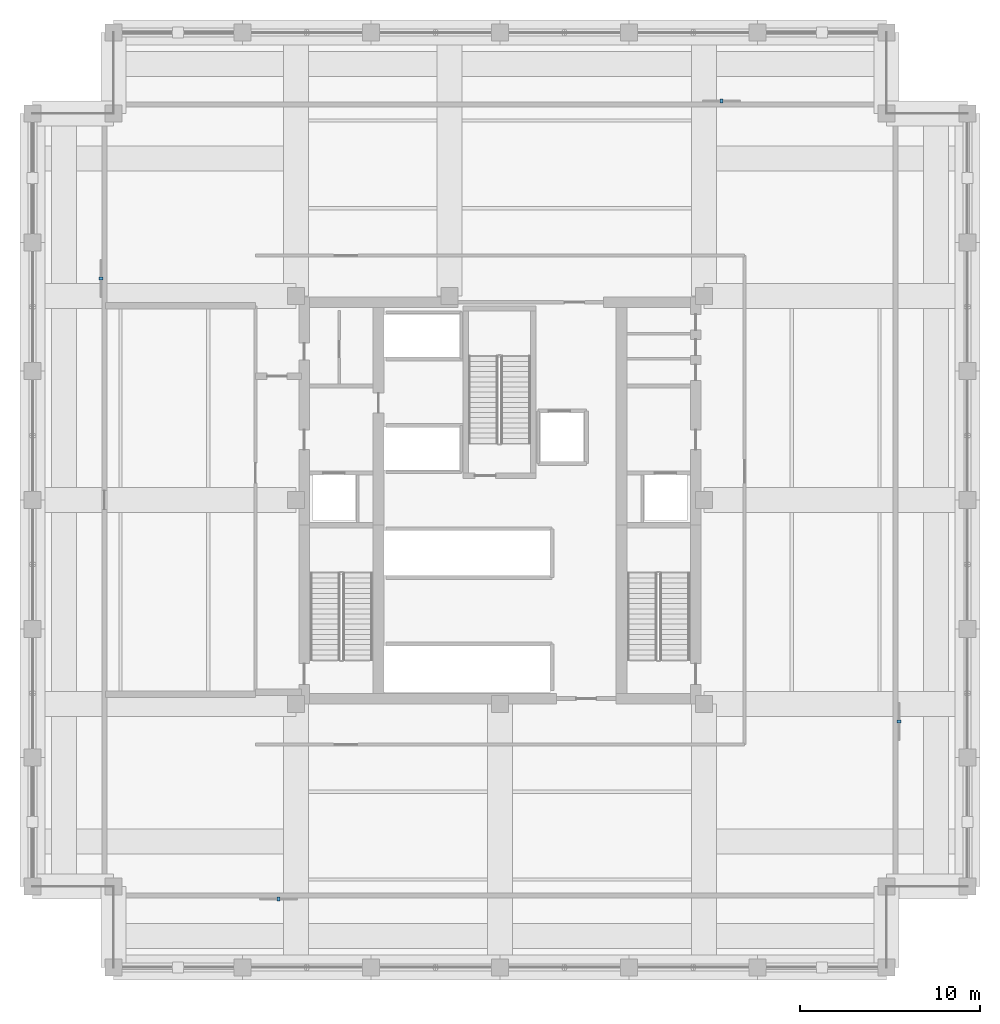
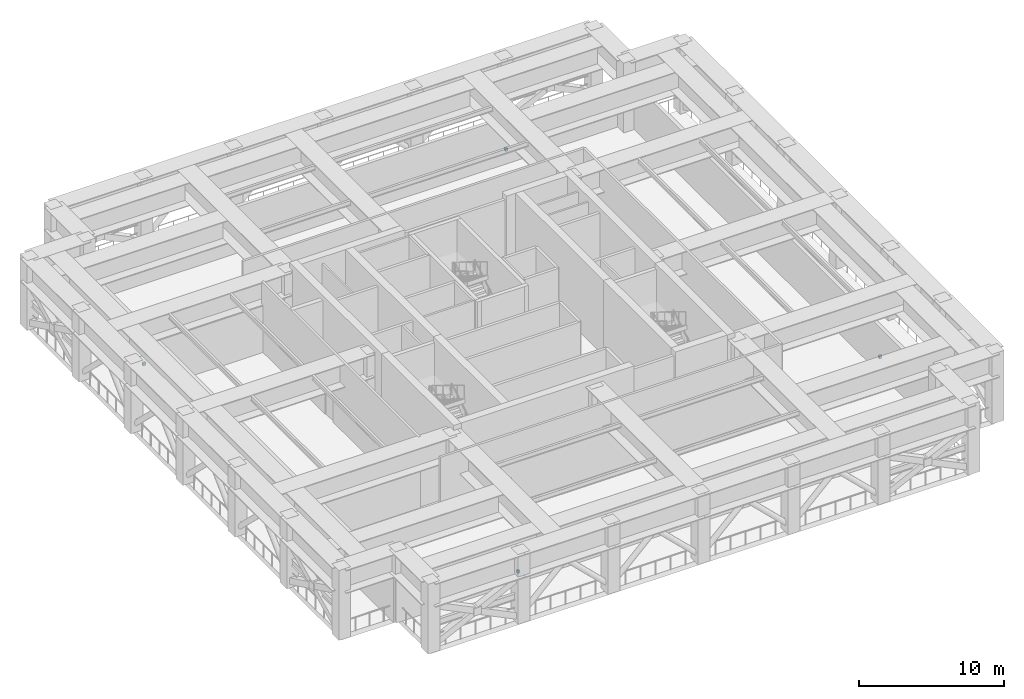
# One storey, part 6 of 12: 4 discrete accessories.
"""IFC4 building model written with IfcOpenShell, lengths in metres."""

from ifc_helpers import new_model, si_unit, direction, frame, origin, origin_2d, place, context, subcontext, project, spatial, rectangle, extrude, material, type_object, element, save


model = new_model("IFC4")

# Units and contexts
model_context = context("Model", 3, precision=1e-05, world=origin(), true_north=direction((0.0, 1.0)))
body_context = subcontext(model_context, "Body", "Model", "MODEL_VIEW")
ifc_project = project(units=[si_unit("LENGTHUNIT", "METRE"), si_unit("AREAUNIT", "SQUARE_METRE"), si_unit("VOLUMEUNIT", "CUBIC_METRE"), si_unit("PLANEANGLEUNIT", "RADIAN"), si_unit("MASSUNIT", "GRAM", prefix="KILO")], contexts=[model_context])

# Site, building, storey
site_placement = place(None, origin())
site = spatial("IfcSite", under=ifc_project, at=site_placement, CompositionType="ELEMENT")
building_placement = place(site_placement, origin())
building = spatial("IfcBuilding", under=site, at=building_placement, Name="Nhamokura Convention Tower", CompositionType="ELEMENT")
storey_placement = place(building_placement, frame((0.0, 0.0, 176.050048828125)))
storey = spatial("IfcBuildingStorey", under=building, at=storey_placement, Name="L43", CompositionType="ELEMENT", Elevation=176.050048828125)

# Discrete accessories
ifc_material = material(Name="Steel ASTM A572 Gr 50", Category="steel")
discrete_accessory_type = type_object("IfcDiscreteAccessoryType", Name="FacadeOutstandBracket", PredefinedType="BRACKET", material=ifc_material)
for number, where, z_axis, x_axis, name in (
    (1, (19.679931640625, 9.8173828125, 0.8798828125), (0.0, 0.0, 1.0), (-1.0, 0.0, 0.0), "L43 Louvre Support Bracket S"),
    (2, (54.1826171875, 19.679931640625, 0.8798828125), (0.0, 0.0, 1.0), (0.0, -1.0, 0.0), "L43 Louvre Support Bracket E"),
    (3, (44.320068359375, 54.1826171875, 0.8798828125), (0.0, 0.0, 1.0), (1.0, 0.0, 0.0), "L43 Louvre Support Bracket N"),
    (4, (9.8173828125, 44.320068359375, 0.8798828125), (0.0, 0.0, 1.0), (0.0, 1.0, 0.0), "L43 Louvre Support Bracket W"),
):
    element("IfcDiscreteAccessory", number, at=place(storey_placement, frame(where, z_axis=z_axis, x_axis=x_axis)), inside=storey, type_object=discrete_accessory_type, Name=name, PredefinedType="BRACKET", context=body_context, shape_type="SweptSolid", body=[
        extrude(rectangle(XDim=0.179931640625, YDim=0.219970703125, at=origin_2d()), origin(), (0.0, 0.0, 1.0), 0.239990234375),
    ])

save(model, "model.ifc")
